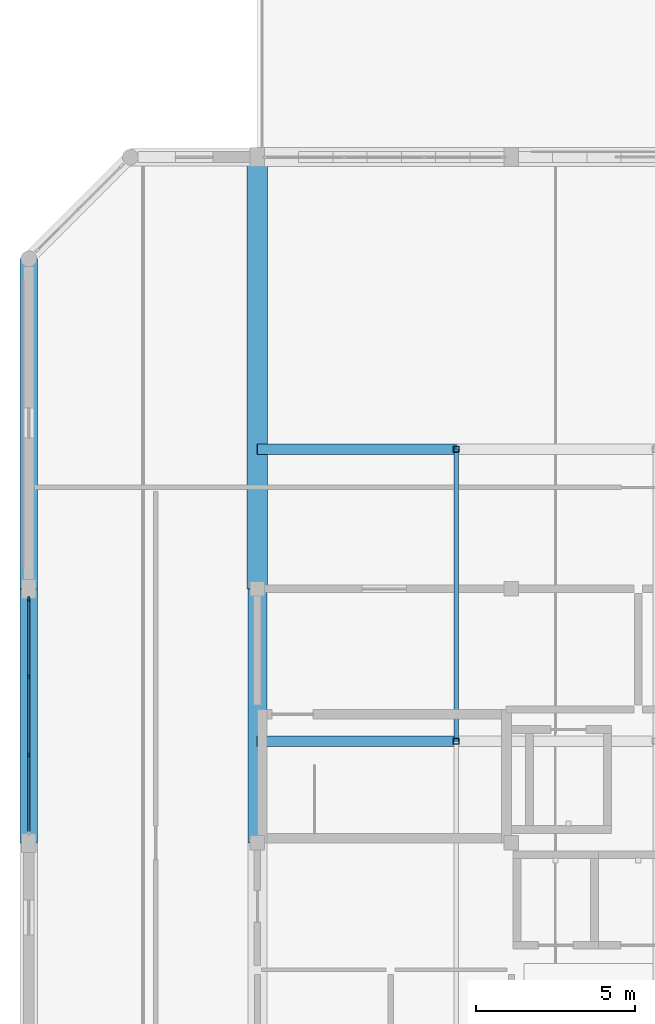
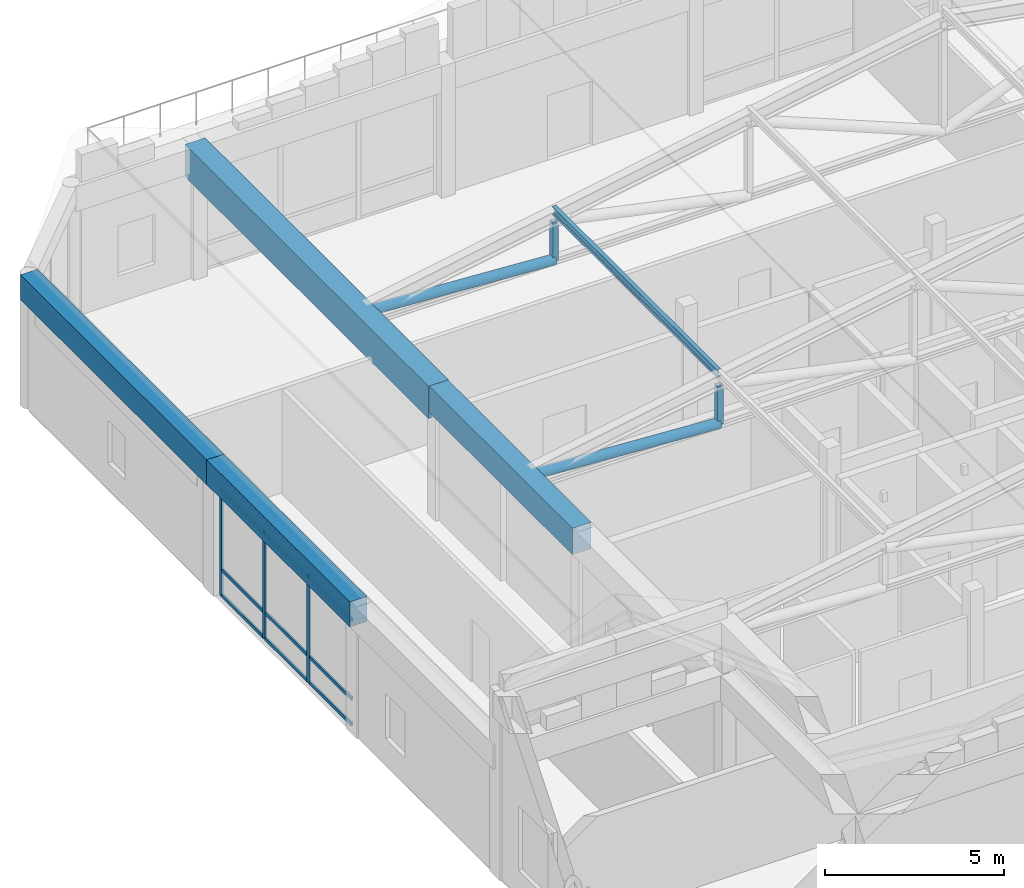
# One storey, part 6 of 24: 17 members, 4 beams, 1 element without a shape of its own.
"""IFC4 building model written with IfcOpenShell, lengths in metres."""

import ifcopenshell
import ifcopenshell.guid

model = None  # the IFC model being written
_history = None  # IfcOwnerHistory: only IFC2X3 demands one
_inside = {}  # id of a spatial element -> (the spatial element, [elements in it])
_under = {}  # id of a project, library or spatial element -> (it, [spatial elements below it])
_declared = {}  # id of a project -> (the project, [libraries it declares])
_typed = {}  # id of a type object -> (the type object, [elements of that type])
_made_of = {}  # id of a material, layer set ... -> (it, [elements and type objects made of it])


def new_model(schema):
    """Start an empty IFC model of exactly this schema.

    Asked for "IFC4X3", IfcOpenShell would pick the latest addendum, in which some entities
    have other attributes; the version numbers below select the first issue.
    IFC2X3 requires an IfcOwnerHistory on every rooted entity: one is made here for all.
    """
    global model, _history
    if schema == "IFC4X3":
        model = ifcopenshell.file(schema_version=(4, 3, 0, 0))
    else:
        model = ifcopenshell.file(schema=schema)
    _inside.clear()
    _under.clear()
    _declared.clear()
    _typed.clear()
    _made_of.clear()
    _history = None
    if model.schema == "IFC2X3":
        org = make("IfcOrganization", Name="unknown")
        user = make(
            "IfcPersonAndOrganization",
            ThePerson=make("IfcPerson", FamilyName="unknown"),
            TheOrganization=org,
        )
        app = make(
            "IfcApplication",
            ApplicationDeveloper=org,
            Version="unknown",
            ApplicationFullName="unknown",
            ApplicationIdentifier="unknown",
        )
        _history = make(
            "IfcOwnerHistory",
            OwningUser=user,
            OwningApplication=app,
            ChangeAction="ADDED",
            CreationDate=0,
        )
    return model


def make(cls, **values):
    """One entity of the class cls with the attributes given. An attribute that is None is left unset."""
    return model.create_entity(
        cls, **{name: value for name, value in values.items() if value is not None}
    )


def rooted(cls, **values):
    """An entity with a GlobalId (a new one), such as an element, a storey or a relation."""
    return make(cls, GlobalId=ifcopenshell.guid.new(), OwnerHistory=_history, **values)


def si_unit(unit_type, name, prefix=None):
    """IfcSIUnit, for example si_unit("LENGTHUNIT", "METRE", prefix="MILLI")."""
    return make("IfcSIUnit", UnitType=unit_type, Prefix=prefix, Name=name)


def assignment(units):
    """IfcUnitAssignment: the units of a project."""
    return None if units is None else make("IfcUnitAssignment", Units=units)


def point(xyz):
    """IfcCartesianPoint."""
    return None if xyz is None else make("IfcCartesianPoint", Coordinates=xyz)


def direction(xyz):
    """IfcDirection."""
    return None if xyz is None else make("IfcDirection", DirectionRatios=xyz)


def frame(location, z_axis=None, x_axis=None):
    """IfcAxis2Placement3D, a coordinate frame: its origin and axes. An axis left out is left unset."""
    return make(
        "IfcAxis2Placement3D",
        Location=point(location),
        Axis=direction(z_axis),
        RefDirection=direction(x_axis),
    )


def frame_2d(location, x_axis=None):
    """IfcAxis2Placement2D, a coordinate frame in the plane: its origin and x axis."""
    return make(
        "IfcAxis2Placement2D", Location=point(location), RefDirection=direction(x_axis)
    )


def origin():
    """The frame at (0, 0, 0) with its axes left unset."""
    return frame((0.0, 0.0, 0.0))


def origin_2d():
    """The frame at (0, 0) in the plane with its x axis left unset."""
    return frame_2d((0.0, 0.0))


def place(relative_to, where):
    """IfcLocalPlacement: puts the frame where relative to a parent placement (None: the world)."""
    return make(
        "IfcLocalPlacement", PlacementRelTo=relative_to, RelativePlacement=where
    )


def context(
    kind, dimensions, precision=None, world=None, true_north=None, identifier=None
):
    """IfcGeometricRepresentationContext, for example the 3D "Model" context."""
    return make(
        "IfcGeometricRepresentationContext",
        ContextIdentifier=identifier,
        ContextType=kind,
        CoordinateSpaceDimension=dimensions,
        Precision=precision,
        WorldCoordinateSystem=world,
        TrueNorth=true_north,
    )


def subcontext(parent, identifier, kind, view, scale=None):
    """IfcGeometricRepresentationSubContext, for example "Body" below "Model"."""
    return make(
        "IfcGeometricRepresentationSubContext",
        ContextIdentifier=identifier,
        ContextType=kind,
        ParentContext=parent,
        TargetScale=scale,
        TargetView=view,
    )


def project(units=None, contexts=None):
    """IfcProject with its units and contexts."""
    return rooted(
        "IfcProject",
        Name="project",
        RepresentationContexts=contexts,
        UnitsInContext=assignment(units),
    )


def spatial(cls, under=None, at=None, **own):
    """A site, building, storey or space (cls), placed at a placement, below another one or the project."""
    s = rooted(cls, ObjectPlacement=at, **own)
    if under is not None:
        _under.setdefault(under.id(), (under, []))[1].append(s)
    return s


def profile(cls, at=None, kind="AREA", **sizes):
    """A parametric profile (cls). Its sizes go by their IFC names, for example OverallWidth=200.0."""
    return make(cls, ProfileType=kind, Position=at, **sizes)


def rectangle(**sizes):
    """IfcRectangleProfileDef."""
    return profile("IfcRectangleProfileDef", **sizes)


def hollow_rectangle(**sizes):
    """IfcRectangleHollowProfileDef."""
    return profile("IfcRectangleHollowProfileDef", **sizes)


def hollow_circle(**sizes):
    """IfcCircleHollowProfileDef."""
    return profile("IfcCircleHollowProfileDef", **sizes)


def i_section(**sizes):
    """IfcIShapeProfileDef."""
    return profile("IfcIShapeProfileDef", **sizes)


def extrude(swept, where, along, depth):
    """IfcExtrudedAreaSolid: the profile swept, set in the frame where, extruded along a direction by depth."""
    return make(
        "IfcExtrudedAreaSolid",
        SweptArea=swept,
        Position=where,
        ExtrudedDirection=direction(along),
        Depth=depth,
    )


def shape(context_of_items, identifier, shape_type, items):
    """IfcShapeRepresentation: the items that make up one representation, for example the "Body"."""
    return make(
        "IfcShapeRepresentation",
        ContextOfItems=context_of_items,
        RepresentationIdentifier=identifier,
        RepresentationType=shape_type,
        Items=items,
    )


def material(Name=None, Category=None):
    """IfcMaterial."""
    return make("IfcMaterial", Name=Name, Category=Category)


def material_profile(
    of_material, cross_section, Name=None, Category=None, Priority=None
):
    """IfcMaterialProfile: a cross section and its material."""
    return make(
        "IfcMaterialProfile",
        Name=Name,
        Material=of_material,
        Profile=cross_section,
        Priority=Priority,
        Category=Category,
    )


def profile_set(profiles, Name=None, composite=None):
    """IfcMaterialProfileSet."""
    return make(
        "IfcMaterialProfileSet",
        Name=Name,
        MaterialProfiles=profiles,
        CompositeProfile=composite,
    )


def made_of(thing, what):
    """Note that an element or type object is made of a material, layer set ...; save() writes the relation."""
    if what is not None:
        _made_of.setdefault(what.id(), (what, []))[1].append(thing)
    return thing


def type_object(cls, material=None, **own):
    """A type object (cls), such as IfcWallType, which elements share."""
    return made_of(rooted(cls, **own), material)


def element(
    cls,
    number,
    at=None,
    inside=None,
    cuts=None,
    type_object=None,
    material=None,
    context=None,
    identifier="Body",
    shape_type=None,
    held_by="IfcProductDefinitionShape",
    body=None,
    shapes=None,
    **own,
):
    """One element of the class cls, such as IfcWall. Its Tag is "e" and its number.

    at: its placement. inside: the storey or other place that contains it. cuts: it is an
    opening in that element (IfcRelVoidsElement). A single representation is given by context,
    identifier, shape_type and body (its items); several are given by shapes. held_by: the class
    of the entity that holds the representations. save() writes the other relations.
    """
    e = rooted(cls, Tag="e%d" % number, ObjectPlacement=at, **own)
    if body is not None:
        shapes = [shape(context, identifier, shape_type, body)]
    if shapes is not None:
        e.Representation = make(held_by, Representations=shapes)
    if inside is not None:
        _inside.setdefault(inside.id(), (inside, []))[1].append(e)
    if cuts is not None:
        rooted(
            "IfcRelVoidsElement", RelatingBuildingElement=cuts, RelatedOpeningElement=e
        )
    if type_object is not None:
        _typed.setdefault(type_object.id(), (type_object, []))[1].append(e)
    return made_of(e, material)


def aggregate(whole, parts):
    """IfcRelAggregates: a whole, such as a stair, and the parts it consists of."""
    return rooted("IfcRelAggregates", RelatingObject=whole, RelatedObjects=parts)


def save(model, path):
    """Write the relations noted so far, then the file.

    IfcRelAggregates (storeys below a building ...), IfcRelContainedInSpatialStructure (elements
    in a storey), IfcRelDefinesByType, IfcRelAssociatesMaterial and IfcRelDeclares: one each for
    every whole, place, type object, material and project.
    """
    for whole, parts in _under.values():
        aggregate(whole, parts)
    for where, things in _inside.values():
        rooted(
            "IfcRelContainedInSpatialStructure",
            RelatedElements=things,
            RelatingStructure=where,
        )
    for kind, things in _typed.values():
        rooted("IfcRelDefinesByType", RelatedObjects=things, RelatingType=kind)
    for what, things in _made_of.values():
        rooted("IfcRelAssociatesMaterial", RelatedObjects=things, RelatingMaterial=what)
    for by, libraries in _declared.values():
        rooted("IfcRelDeclares", RelatingContext=by, RelatedDefinitions=libraries)
    model.write(path)


model = new_model("IFC4")

# Units and contexts
model_context = context("Model", 3, precision=1e-05, world=origin(), true_north=direction((0.0, 1.0)))
body_context = subcontext(model_context, "Body", "Model", "MODEL_VIEW")
ifc_project = project(units=[si_unit("LENGTHUNIT", "METRE"), si_unit("AREAUNIT", "SQUARE_METRE"), si_unit("VOLUMEUNIT", "CUBIC_METRE"), si_unit("PLANEANGLEUNIT", "RADIAN"), si_unit("MASSUNIT", "GRAM", prefix="KILO")], contexts=[model_context])

# Site, building, storey
site_placement = place(None, origin())
site = spatial("IfcSite", under=ifc_project, at=site_placement, CompositionType="ELEMENT")
building_placement = place(site_placement, origin())
building = spatial("IfcBuilding", under=site, at=building_placement, Name="Vellmiral Cinema and Media Centre", CompositionType="ELEMENT")
storey_placement = place(building_placement, frame((0.0, 0.0, 66.60009765625)))
storey = spatial("IfcBuildingStorey", under=building, at=storey_placement, Name="L16", CompositionType="ELEMENT", Elevation=66.60009765625)

# Curtain wall, members
ifc_material_1 = material(Name="Thermally Broken Aluminium and Triple Glazing", Category="aluminium")
curtain_wall_type = type_object("IfcCurtainWallType", Name="CW-TOWER-HIGH", PredefinedType="USERDEFINED", material=ifc_material_1)
curtain_wall_placement = place(storey_placement, origin())
curtain_wall = element("IfcCurtainWall", 1, at=curtain_wall_placement, inside=storey, type_object=curtain_wall_type, Name="Curtain Wall L16-B021", ObjectType="UNITISED CURTAIN WALL", PredefinedType="USERDEFINED")
ifc_material_2 = material(Name="Thermally Broken Anodised Aluminium", Category="aluminium")
ifc_material_profile_1 = material_profile(ifc_material_2, rectangle(XDim=0.06005859375, YDim=0.14990234375, at=origin_2d()), Name="MULL 60x150")
ifc_profile_set_1 = profile_set([ifc_material_profile_1], Name="Thermally Broken Anodised Aluminium")
member_type_1 = type_object("IfcMemberType", Name="CWM-60x150", PredefinedType="MULLION", material=ifc_profile_set_1)
member_1_placement = place(storey_placement, frame((116.800048828125, 94.8701171875, 0.0), z_axis=(0.0, 0.0, 1.0), x_axis=(1.0, 0.0, 0.0)))
member_1 = element("IfcMember", 2, at=member_1_placement, type_object=member_type_1, Name="CW-09 mullion 1", PredefinedType="MULLION", context=body_context, shape_type="SweptSolid", body=[
    extrude(rectangle(XDim=0.06005859375, YDim=0.14990234375, at=origin_2d()), origin(), (0.0, 0.0, 1.0), 3.619873046875),
])
member_2_placement = place(storey_placement, frame((116.800048828125, 92.433349609375, 0.0), z_axis=(0.0, 0.0, 1.0), x_axis=(1.0, 0.0, 0.0)))
member_2 = element("IfcMember", 3, at=member_2_placement, type_object=member_type_1, Name="CW-09 mullion 2", PredefinedType="MULLION", context=body_context, shape_type="SweptSolid", body=[
    extrude(rectangle(XDim=0.06005859375, YDim=0.14990234375, at=origin_2d()), origin(), (0.0, 0.0, 1.0), 3.619873046875),
])
member_3_placement = place(storey_placement, frame((116.800048828125, 89.966552734375, 0.0), z_axis=(0.0, 0.0, 1.0), x_axis=(1.0, 0.0, 0.0)))
member_3 = element("IfcMember", 4, at=member_3_placement, type_object=member_type_1, Name="CW-09 mullion 3", PredefinedType="MULLION", context=body_context, shape_type="SweptSolid", body=[
    extrude(rectangle(XDim=0.06005859375, YDim=0.14990234375, at=origin_2d()), origin(), (0.0, 0.0, 1.0), 3.619873046875),
])
ifc_material_3 = material(Name="Thermally Broken Anodised Aluminium", Category="aluminium")
ifc_material_profile_2 = material_profile(ifc_material_3, rectangle(XDim=0.06005859375, YDim=0.1201171875, at=origin_2d()), Name="MULL 60x120")
ifc_profile_set_2 = profile_set([ifc_material_profile_2], Name="Thermally Broken Anodised Aluminium")
member_type_2 = type_object("IfcMemberType", Name="CWT-60x120", PredefinedType="USERDEFINED", material=ifc_profile_set_2)
member_4_placement = place(storey_placement, frame((116.800048828125, 94.840087890625, 0.02978515625), z_axis=(0.0, -1.0, 0.0), x_axis=(1.0, 0.0, 0.0)))
member_4 = element("IfcMember", 5, at=member_4_placement, type_object=member_type_2, Name="CW-09 transom 1.1", ObjectType="TRANSOM", PredefinedType="USERDEFINED", context=body_context, shape_type="SweptSolid", body=[
    extrude(rectangle(XDim=0.06005859375, YDim=0.1201171875, at=origin_2d()), origin(), (0.0, 0.0, 1.0), 2.376708984375),
])
member_5_placement = place(storey_placement, frame((116.800048828125, 94.840087890625, 0.89990234375), z_axis=(0.0, -1.0, 0.0), x_axis=(1.0, 0.0, 0.0)))
member_5 = element("IfcMember", 6, at=member_5_placement, type_object=member_type_2, Name="CW-09 transom 1.2", ObjectType="TRANSOM", PredefinedType="USERDEFINED", context=body_context, shape_type="SweptSolid", body=[
    extrude(rectangle(XDim=0.06005859375, YDim=0.1201171875, at=origin_2d()), origin(), (0.0, 0.0, 1.0), 2.376708984375),
])
member_6_placement = place(storey_placement, frame((116.800048828125, 94.840087890625, 3.58984375), z_axis=(0.0, -1.0, 0.0), x_axis=(1.0, 0.0, 0.0)))
member_6 = element("IfcMember", 7, at=member_6_placement, type_object=member_type_2, Name="CW-09 transom 1.3", ObjectType="TRANSOM", PredefinedType="USERDEFINED", context=body_context, shape_type="SweptSolid", body=[
    extrude(rectangle(XDim=0.06005859375, YDim=0.1201171875, at=origin_2d()), origin(), (0.0, 0.0, 1.0), 2.376708984375),
])
member_7_placement = place(storey_placement, frame((116.800048828125, 92.4033203125, 0.02978515625), z_axis=(0.0, -1.0, 0.0), x_axis=(1.0, 0.0, 0.0)))
member_7 = element("IfcMember", 8, at=member_7_placement, type_object=member_type_2, Name="CW-09 transom 2.1", ObjectType="TRANSOM", PredefinedType="USERDEFINED", context=body_context, shape_type="SweptSolid", body=[
    extrude(rectangle(XDim=0.06005859375, YDim=0.1201171875, at=origin_2d()), origin(), (0.0, 0.0, 1.0), 2.40673828125),
])
member_8_placement = place(storey_placement, frame((116.800048828125, 92.4033203125, 0.89990234375), z_axis=(0.0, -1.0, 0.0), x_axis=(1.0, 0.0, 0.0)))
member_8 = element("IfcMember", 9, at=member_8_placement, type_object=member_type_2, Name="CW-09 transom 2.2", ObjectType="TRANSOM", PredefinedType="USERDEFINED", context=body_context, shape_type="SweptSolid", body=[
    extrude(rectangle(XDim=0.06005859375, YDim=0.1201171875, at=origin_2d()), origin(), (0.0, 0.0, 1.0), 2.40673828125),
])
member_9_placement = place(storey_placement, frame((116.800048828125, 92.4033203125, 3.58984375), z_axis=(0.0, -1.0, 0.0), x_axis=(1.0, 0.0, 0.0)))
member_9 = element("IfcMember", 10, at=member_9_placement, type_object=member_type_2, Name="CW-09 transom 2.3", ObjectType="TRANSOM", PredefinedType="USERDEFINED", context=body_context, shape_type="SweptSolid", body=[
    extrude(rectangle(XDim=0.06005859375, YDim=0.1201171875, at=origin_2d()), origin(), (0.0, 0.0, 1.0), 2.40673828125),
])
member_10_placement = place(storey_placement, frame((116.800048828125, 89.936767578125, 0.02978515625), z_axis=(0.0, -1.0, 0.0), x_axis=(1.0, 0.0, 0.0)))
member_10 = element("IfcMember", 11, at=member_10_placement, type_object=member_type_2, Name="CW-09 transom 3.1", ObjectType="TRANSOM", PredefinedType="USERDEFINED", context=body_context, shape_type="SweptSolid", body=[
    extrude(rectangle(XDim=0.06005859375, YDim=0.1201171875, at=origin_2d()), origin(), (0.0, 0.0, 1.0), 2.376708984375),
])
member_11_placement = place(storey_placement, frame((116.800048828125, 89.936767578125, 0.89990234375), z_axis=(0.0, -1.0, 0.0), x_axis=(1.0, 0.0, 0.0)))
member_11 = element("IfcMember", 12, at=member_11_placement, type_object=member_type_2, Name="CW-09 transom 3.2", ObjectType="TRANSOM", PredefinedType="USERDEFINED", context=body_context, shape_type="SweptSolid", body=[
    extrude(rectangle(XDim=0.06005859375, YDim=0.1201171875, at=origin_2d()), origin(), (0.0, 0.0, 1.0), 2.376708984375),
])
member_12_placement = place(storey_placement, frame((116.800048828125, 89.936767578125, 3.58984375), z_axis=(0.0, -1.0, 0.0), x_axis=(1.0, 0.0, 0.0)))
member_12 = element("IfcMember", 13, at=member_12_placement, type_object=member_type_2, Name="CW-09 transom 3.3", ObjectType="TRANSOM", PredefinedType="USERDEFINED", context=body_context, shape_type="SweptSolid", body=[
    extrude(rectangle(XDim=0.06005859375, YDim=0.1201171875, at=origin_2d()), origin(), (0.0, 0.0, 1.0), 2.376708984375),
])
aggregate(curtain_wall, [member_1, member_2, member_3, member_4, member_5, member_6, member_7, member_8, member_9, member_10, member_11, member_12])

# Member
ifc_material_4 = material(Name="Steel S355", Category="steel")
ifc_material_profile_3 = material_profile(ifc_material_4, i_section(OverallWidth=0.135009765625, OverallDepth=0.27001953125, WebThickness=0.006591796875, FlangeThickness=0.01025390625, FilletRadius=0.014892578125, at=origin_2d()), Name="IPE 270")
ifc_profile_set_3 = profile_set([ifc_material_profile_3], Name="Steel S355")
member_type_3 = type_object("IfcMemberType", Name="PRL-IPE270", PredefinedType="PURLIN", material=ifc_profile_set_3)
member_13_placement = place(storey_placement, frame((130.2666015625, 90.39990234375, 5.548095703125), z_axis=(0.0, 1.0, 0.0), x_axis=(-1.0, 0.0, 0.0)))
element("IfcMember", 14, at=member_13_placement, inside=storey, type_object=member_type_3, Name="Roof Purlin VR-CROWN.1.2", PredefinedType="PURLIN", context=body_context, shape_type="SweptSolid", body=[
    extrude(i_section(OverallWidth=0.135009765625, OverallDepth=0.27001953125, WebThickness=0.006591796875, FlangeThickness=0.01025390625, FilletRadius=0.014892578125, at=origin_2d()), origin(), (0.0, 0.0, 1.0), 9.2001953125),
])

# Beams
ifc_material_5 = material(Name="Concrete C40/50", Category="concrete")
ifc_material_profile_4 = material_profile(ifc_material_5, rectangle(XDim=0.550048828125, YDim=0.85009765625, at=origin_2d()), Name="RC 550x850")
ifc_profile_set_4 = profile_set([ifc_material_profile_4], Name="Concrete C40/50")
beam_type_1 = type_object("IfcBeamType", Name="RING-BM-550x850", PredefinedType="BEAM", material=ifc_profile_set_4)
beam_1_placement = place(storey_placement, frame((116.800048828125, 87.199951171875, 4.074951171875), z_axis=(0.0, 1.0, 0.0), x_axis=(-1.0, 0.0, 0.0)))
element("IfcBeam", 15, at=beam_1_placement, inside=storey, type_object=beam_type_1, Name="Tower Crown West Gallery Vault Ring Beam 04", PredefinedType="BEAM", context=body_context, shape_type="SweptSolid", body=[
    extrude(rectangle(XDim=0.550048828125, YDim=0.85009765625, at=origin_2d()), origin(), (0.0, 0.0, 1.0), 8.0),
])
beam_2_placement = place(storey_placement, frame((116.800048828125, 95.199951171875, 4.074951171875), z_axis=(0.0, 1.0, 0.0), x_axis=(-1.0, 0.0, 0.0)))
element("IfcBeam", 16, at=beam_2_placement, inside=storey, type_object=beam_type_1, Name="Tower Crown West Gallery Vault Ring Beam 05", PredefinedType="BEAM", context=body_context, shape_type="SweptSolid", body=[
    extrude(rectangle(XDim=0.550048828125, YDim=0.85009765625, at=origin_2d()), origin(), (0.0, 0.0, 1.0), 10.400146484375),
])
ifc_material_6 = material(Name="Concrete C40/50", Category="concrete")
ifc_material_profile_5 = material_profile(ifc_material_6, rectangle(XDim=0.60009765625, YDim=0.89990234375, at=origin_2d()), Name="RC 600x900")
ifc_profile_set_5 = profile_set([ifc_material_profile_5], Name="Concrete C40/50")
beam_type_2 = type_object("IfcBeamType", Name="RING-BM-600x900", PredefinedType="BEAM", material=ifc_profile_set_5)
beam_3_placement = place(storey_placement, frame((124.0, 87.199951171875, 4.0498046875), z_axis=(0.0, 1.0, 0.0), x_axis=(-1.0, 0.0, 0.0)))
element("IfcBeam", 17, at=beam_3_placement, inside=storey, type_object=beam_type_2, Name="Tower Crown Catalan Barrel Vault Ring Beam 11", PredefinedType="BEAM", context=body_context, shape_type="SweptSolid", body=[
    extrude(rectangle(XDim=0.60009765625, YDim=0.89990234375, at=origin_2d()), origin(), (0.0, 0.0, 1.0), 8.0),
])
ifc_material_7 = material(Name="Concrete C40/50", Category="concrete")
ifc_material_profile_6 = material_profile(ifc_material_7, rectangle(XDim=0.64990234375, YDim=1.10009765625, at=origin_2d()), Name="RC 650x1100")
ifc_profile_set_6 = profile_set([ifc_material_profile_6], Name="Concrete C40/50")
beam_type_3 = type_object("IfcBeamType", Name="RING-BMG-650x1100", PredefinedType="BEAM", material=ifc_profile_set_6)
beam_4_placement = place(storey_placement, frame((124.0, 95.199951171875, 3.949951171875), z_axis=(0.0, 1.0, 0.0), x_axis=(-1.0, 0.0, 0.0)))
element("IfcBeam", 18, at=beam_4_placement, inside=storey, type_object=beam_type_3, Name="Tower Crown Catalan Barrel Vault Ring Beam 12", PredefinedType="BEAM", context=body_context, shape_type="SweptSolid", body=[
    extrude(rectangle(XDim=0.64990234375, YDim=1.10009765625, at=origin_2d()), origin(), (0.0, 0.0, 1.0), 13.60009765625),
])

# Members
ifc_material_8 = material(Name="Steel S355", Category="steel")
ifc_material_profile_7 = material_profile(ifc_material_8, hollow_circle(Radius=0.161865234375, WallThickness=0.012451171875, at=origin_2d()), Name="CHS 323.9x12.5")
ifc_profile_set_7 = profile_set([ifc_material_profile_7], Name="Steel S355")
member_type_4 = type_object("IfcMemberType", Name="TBR-CHS324", PredefinedType="BRACE", material=ifc_profile_set_7)
for number, where, z_axis, x_axis, name in (
    (19, (124.0, 90.39990234375, 4.224853515625), (0.998214318933, 0.0, -0.059734190193), (0.0, 1.0, 0.0), "Roof Truss TR-10.2 Diagonal 1"),
    (20, (124.0, 99.60009765625, 4.224853515625), (0.998214318933, 0.0, -0.059734190193), (0.0, 1.0, 0.0), "Roof Truss TR-10.3 Diagonal 1"),
):
    element("IfcMember", number, at=place(storey_placement, frame(where, z_axis=z_axis, x_axis=x_axis)), inside=storey, type_object=member_type_4, Name=name, PredefinedType="BRACE", context=body_context, shape_type="SweptSolid", body=[
        extrude(hollow_circle(Radius=0.161865234375, WallThickness=0.012451171875, at=origin_2d()), origin(), (0.0, 0.0, 1.0), 6.27783203125),
    ])
ifc_material_9 = material(Name="Steel S355", Category="steel")
ifc_material_profile_8 = material_profile(ifc_material_9, hollow_rectangle(XDim=0.179931640625, YDim=0.179931640625, WallThickness=0.010009765625, at=origin_2d()), Name="SHS 180x180x10.0")
ifc_profile_set_8 = profile_set([ifc_material_profile_8], Name="Steel S355")
member_type_5 = type_object("IfcMemberType", Name="TBR-SHS180", PredefinedType="BRACE", material=ifc_profile_set_8)
for number, where, z_axis, x_axis, name in (
    (21, (130.2666015625, 90.39990234375, 3.849853515625), (0.0, 0.0, 1.0), (1.0, 0.0, 0.0), "Roof Truss TR-10.2 Post 1"),
    (22, (130.2666015625, 99.60009765625, 3.849853515625), (0.0, 0.0, 1.0), (1.0, 0.0, 0.0), "Roof Truss TR-10.3 Post 1"),
):
    element("IfcMember", number, at=place(storey_placement, frame(where, z_axis=z_axis, x_axis=x_axis)), inside=storey, type_object=member_type_5, Name=name, PredefinedType="BRACE", context=body_context, shape_type="SweptSolid", body=[
        extrude(hollow_rectangle(XDim=0.179931640625, YDim=0.179931640625, WallThickness=0.010009765625, at=origin_2d()), origin(), (0.0, 0.0, 1.0), 1.328125),
    ])

save(model, "model.ifc")
